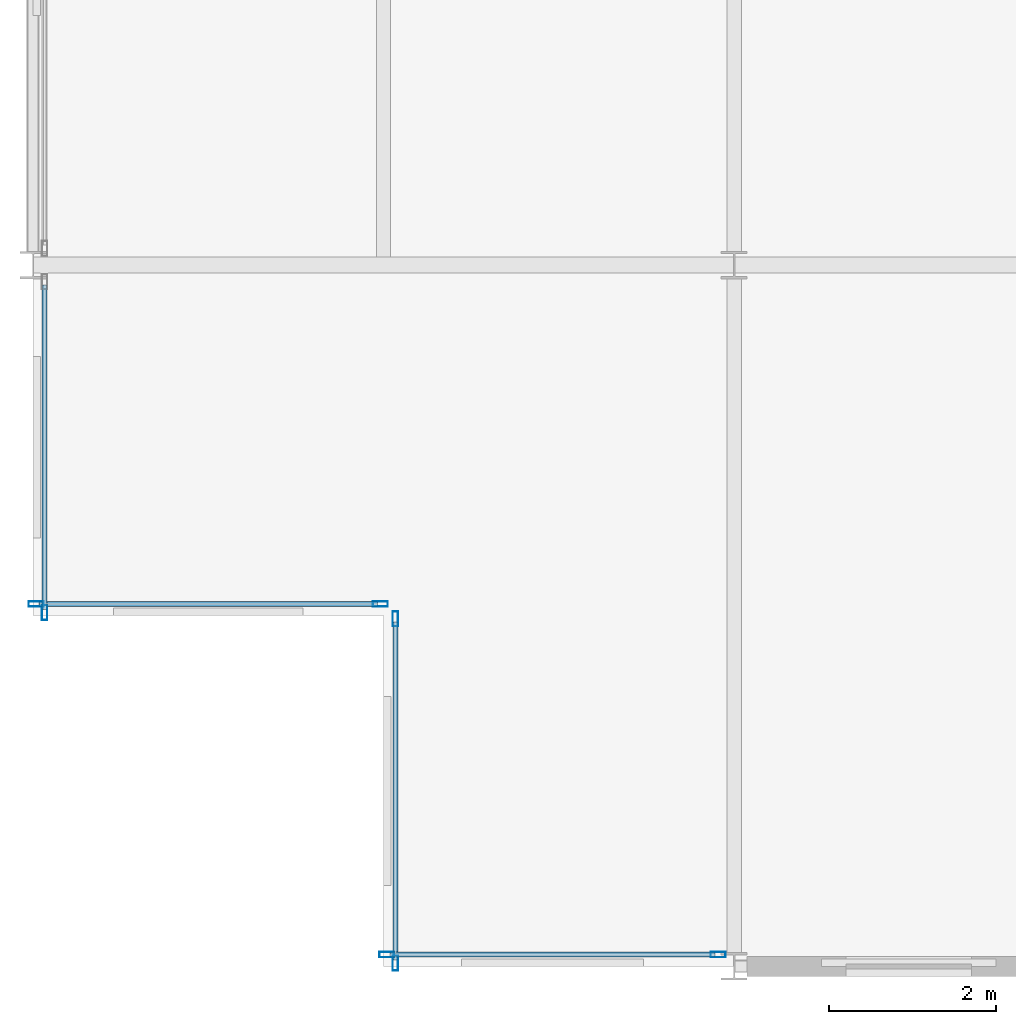
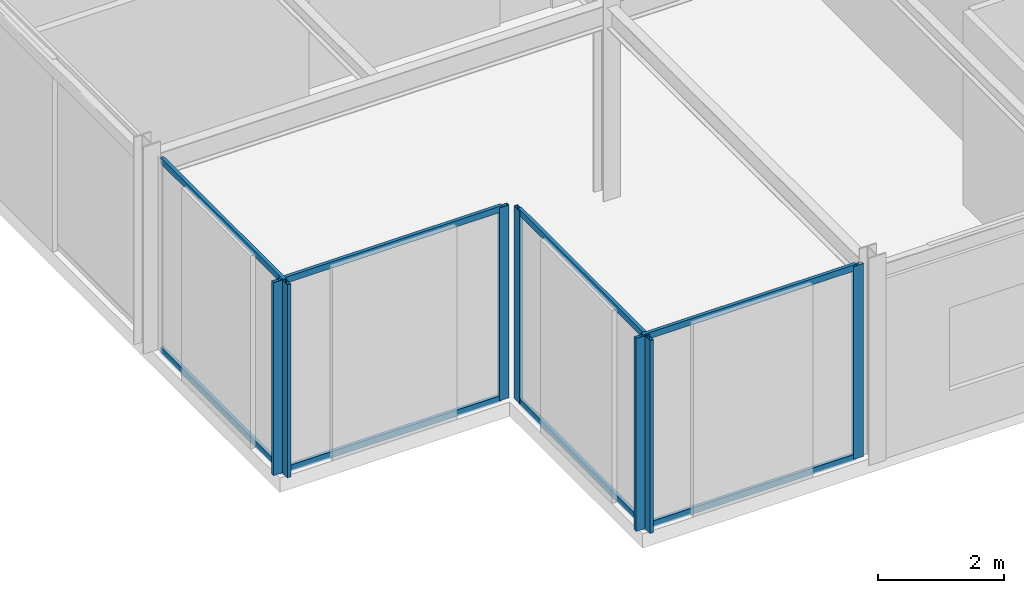
# One storey, part 3 of 26: 15 members, 4 elements without a shape of their own.
"""IFC4 building model written with IfcOpenShell, lengths in metres."""

from ifc_helpers import new_model, si_unit, direction, frame, origin, origin_2d, place, context, subcontext, project, spatial, hollow_rectangle, extrude, material, layer, layer_set, material_profile, profile_set, type_object, element, aggregate, save


model = new_model("IFC4")

# Units and contexts
model_context = context("Model", 3, precision=1e-05, world=origin(), true_north=direction((0.0, 1.0)))
body_context = subcontext(model_context, "Body", "Model", "MODEL_VIEW")
ifc_project = project(units=[si_unit("LENGTHUNIT", "METRE"), si_unit("AREAUNIT", "SQUARE_METRE"), si_unit("VOLUMEUNIT", "CUBIC_METRE"), si_unit("PLANEANGLEUNIT", "RADIAN"), si_unit("MASSUNIT", "GRAM", prefix="KILO")], contexts=[model_context])

# Site, building, storey
site_placement = place(None, origin())
site = spatial("IfcSite", under=ifc_project, at=site_placement, CompositionType="ELEMENT")
building_placement = place(site_placement, origin())
building = spatial("IfcBuilding", under=site, at=building_placement, Name="Nerrivon Quay Data Exchange", CompositionType="ELEMENT")
storey_placement = place(building_placement, frame((0.0, 0.0, 270.199951171875)))
storey = spatial("IfcBuildingStorey", under=building, at=storey_placement, Name="L64", CompositionType="ELEMENT", Elevation=270.199951171875)

# Curtain wall, members
ifc_material = material(Name="Anodised aluminium 6063-T6", Category="aluminium")
ifc_layer = layer(ifc_material, 0.195068359375)
ifc_layer_set = layer_set([ifc_layer], Name="Anodised aluminium 6063-T6")
curtain_wall_type = type_object("IfcCurtainWallType", Name="CW-SYS-06", PredefinedType="NOTDEFINED", material=ifc_layer_set)
curtain_wall_1_placement = place(storey_placement, origin())
curtain_wall_1 = element("IfcCurtainWall", 1, at=curtain_wall_1_placement, inside=storey, type_object=curtain_wall_type, Name="L64 Unitised Curtain Wall 8", PredefinedType="NOTDEFINED")
ifc_material_profile_1 = material_profile(ifc_material, hollow_rectangle(XDim=0.06494140625, YDim=0.179931640625, WallThickness=0.00341796875, at=origin_2d()), Name="ALU-MULL-180x65")
ifc_profile_set_1 = profile_set([ifc_material_profile_1], Name="Anodised aluminium 6063-T6")
member_type_1 = type_object("IfcMemberType", Name="CWM-180x65", PredefinedType="MULLION", material=ifc_profile_set_1)
member_1_placement = place(storey_placement, frame((8.20703125, 0.139892578125, 0.0), z_axis=(0.0, 0.0, 1.0), x_axis=(0.0, -1.0, 0.0)))
member_1 = element("IfcMember", 2, at=member_1_placement, type_object=member_type_1, Name="CW06 mullion 1", PredefinedType="MULLION", context=body_context, shape_type="SweptSolid", body=[
    extrude(hollow_rectangle(XDim=0.06494140625, YDim=0.179931640625, WallThickness=0.00341796875, at=origin_2d()), origin(), (0.0, 0.0, 1.0), 3.72509765625),
])
member_2_placement = place(storey_placement, frame((4.237548828125, 0.139892578125, 0.0), z_axis=(0.0, 0.0, 1.0), x_axis=(0.0, -1.0, 0.0)))
member_2 = element("IfcMember", 3, at=member_2_placement, type_object=member_type_1, Name="CW06 mullion 2", PredefinedType="MULLION", context=body_context, shape_type="SweptSolid", body=[
    extrude(hollow_rectangle(XDim=0.06494140625, YDim=0.179931640625, WallThickness=0.00341796875, at=origin_2d()), origin(), (0.0, 0.0, 1.0), 3.72509765625),
])

curtain_wall_2_placement = place(storey_placement, origin())
curtain_wall_2 = element("IfcCurtainWall", 4, at=curtain_wall_2_placement, inside=storey, type_object=curtain_wall_type, Name="L64 Unitised Curtain Wall 9", PredefinedType="NOTDEFINED")
member_3_placement = place(storey_placement, frame((4.340087890625, 0.03759765625, 0.0), z_axis=(0.0, 0.0, 1.0), x_axis=(-1.0, 0.0, 0.0)))
member_3 = element("IfcMember", 5, at=member_3_placement, type_object=member_type_1, Name="CW06 mullion 1", PredefinedType="MULLION", context=body_context, shape_type="SweptSolid", body=[
    extrude(hollow_rectangle(XDim=0.06494140625, YDim=0.179931640625, WallThickness=0.00341796875, at=origin_2d()), origin(), (0.0, 0.0, 1.0), 3.72509765625),
])
member_4_placement = place(storey_placement, frame((4.340087890625, 4.16259765625, 0.0), z_axis=(0.0, 0.0, 1.0), x_axis=(-1.0, 0.0, 0.0)))
member_4 = element("IfcMember", 6, at=member_4_placement, type_object=member_type_1, Name="CW06 mullion 2", PredefinedType="MULLION", context=body_context, shape_type="SweptSolid", body=[
    extrude(hollow_rectangle(XDim=0.06494140625, YDim=0.179931640625, WallThickness=0.00341796875, at=origin_2d()), origin(), (0.0, 0.0, 1.0), 3.72509765625),
])

curtain_wall_3_placement = place(storey_placement, origin())
curtain_wall_3 = element("IfcCurtainWall", 7, at=curtain_wall_3_placement, inside=storey, type_object=curtain_wall_type, Name="L64 Unitised Curtain Wall 10", PredefinedType="NOTDEFINED")
member_5_placement = place(storey_placement, frame((4.16259765625, 4.340087890625, 0.0), z_axis=(0.0, 0.0, 1.0), x_axis=(0.0, -1.0, 0.0)))
member_5 = element("IfcMember", 8, at=member_5_placement, type_object=member_type_1, Name="CW06 mullion 1", PredefinedType="MULLION", context=body_context, shape_type="SweptSolid", body=[
    extrude(hollow_rectangle(XDim=0.06494140625, YDim=0.179931640625, WallThickness=0.00341796875, at=origin_2d()), origin(), (0.0, 0.0, 1.0), 3.72509765625),
])
member_6_placement = place(storey_placement, frame((0.03759765625, 4.340087890625, 0.0), z_axis=(0.0, 0.0, 1.0), x_axis=(0.0, -1.0, 0.0)))
member_6 = element("IfcMember", 9, at=member_6_placement, type_object=member_type_1, Name="CW06 mullion 2", PredefinedType="MULLION", context=body_context, shape_type="SweptSolid", body=[
    extrude(hollow_rectangle(XDim=0.06494140625, YDim=0.179931640625, WallThickness=0.00341796875, at=origin_2d()), origin(), (0.0, 0.0, 1.0), 3.72509765625),
])

# Curtain wall, member
curtain_wall_4_placement = place(storey_placement, origin())
curtain_wall_4 = element("IfcCurtainWall", 10, at=curtain_wall_4_placement, inside=storey, type_object=curtain_wall_type, Name="L64 Unitised Curtain Wall 11", PredefinedType="NOTDEFINED")
member_7_placement = place(storey_placement, frame((0.139892578125, 4.237548828125, 0.0), z_axis=(0.0, 0.0, 1.0), x_axis=(-1.0, 0.0, 0.0)))
member_7 = element("IfcMember", 11, at=member_7_placement, type_object=member_type_1, Name="CW06 mullion 1", PredefinedType="MULLION", context=body_context, shape_type="SweptSolid", body=[
    extrude(hollow_rectangle(XDim=0.06494140625, YDim=0.179931640625, WallThickness=0.00341796875, at=origin_2d()), origin(), (0.0, 0.0, 1.0), 3.72509765625),
])

# Member
ifc_material_profile_2 = material_profile(ifc_material, hollow_rectangle(XDim=0.06005859375, YDim=0.1201171875, WallThickness=0.003173828125, at=origin_2d()), Name="ALU-TRAN-120x60")
ifc_profile_set_2 = profile_set([ifc_material_profile_2], Name="Anodised aluminium 6063-T6")
member_type_2 = type_object("IfcMemberType", Name="CWT-120x60", PredefinedType="USERDEFINED", material=ifc_profile_set_2)
member_8_placement = place(storey_placement, frame((8.16943359375, 0.139892578125, 0.032470703125), z_axis=(-1.0, 0.0, 0.0), x_axis=(0.0, -1.0, 0.0)))
member_8 = element("IfcMember", 12, at=member_8_placement, type_object=member_type_2, Name="CW06 transom 1.1", ObjectType="TRANSOM", PredefinedType="USERDEFINED", context=body_context, shape_type="SweptSolid", body=[
    extrude(hollow_rectangle(XDim=0.06005859375, YDim=0.1201171875, WallThickness=0.003173828125, at=origin_2d()), origin(), (0.0, 0.0, 1.0), 3.89453125),
])

member_9_placement = place(storey_placement, frame((8.16943359375, 0.139892578125, 3.692626953125), z_axis=(-1.0, 0.0, 0.0), x_axis=(0.0, -1.0, 0.0)))
member_9 = element("IfcMember", 13, at=member_9_placement, type_object=member_type_2, Name="CW06 transom 1.2", ObjectType="TRANSOM", PredefinedType="USERDEFINED", context=body_context, shape_type="SweptSolid", body=[
    extrude(hollow_rectangle(XDim=0.06005859375, YDim=0.1201171875, WallThickness=0.003173828125, at=origin_2d()), origin(), (0.0, 0.0, 1.0), 3.89453125),
])

aggregate(curtain_wall_1, [member_1, member_2, member_8, member_9])

member_10_placement = place(storey_placement, frame((4.340087890625, 0.074951171875, 0.032470703125), z_axis=(0.0, 1.0, 0.0), x_axis=(-1.0, 0.0, 0.0)))
member_10 = element("IfcMember", 14, at=member_10_placement, type_object=member_type_2, Name="CW06 transom 1.1", ObjectType="TRANSOM", PredefinedType="USERDEFINED", context=body_context, shape_type="SweptSolid", body=[
    extrude(hollow_rectangle(XDim=0.06005859375, YDim=0.1201171875, WallThickness=0.003173828125, at=origin_2d()), origin(), (0.0, 0.0, 1.0), 4.050048828125),
])

member_11_placement = place(storey_placement, frame((4.340087890625, 0.074951171875, 3.692626953125), z_axis=(0.0, 1.0, 0.0), x_axis=(-1.0, 0.0, 0.0)))
member_11 = element("IfcMember", 15, at=member_11_placement, type_object=member_type_2, Name="CW06 transom 1.2", ObjectType="TRANSOM", PredefinedType="USERDEFINED", context=body_context, shape_type="SweptSolid", body=[
    extrude(hollow_rectangle(XDim=0.06005859375, YDim=0.1201171875, WallThickness=0.003173828125, at=origin_2d()), origin(), (0.0, 0.0, 1.0), 4.050048828125),
])

aggregate(curtain_wall_2, [member_3, member_4, member_10, member_11])

member_12_placement = place(storey_placement, frame((4.125, 4.340087890625, 0.032470703125), z_axis=(-1.0, 0.0, 0.0), x_axis=(0.0, -1.0, 0.0)))
member_12 = element("IfcMember", 16, at=member_12_placement, type_object=member_type_2, Name="CW06 transom 1.1", ObjectType="TRANSOM", PredefinedType="USERDEFINED", context=body_context, shape_type="SweptSolid", body=[
    extrude(hollow_rectangle(XDim=0.06005859375, YDim=0.1201171875, WallThickness=0.003173828125, at=origin_2d()), origin(), (0.0, 0.0, 1.0), 4.050048828125),
])

member_13_placement = place(storey_placement, frame((4.125, 4.340087890625, 3.692626953125), z_axis=(-1.0, 0.0, 0.0), x_axis=(0.0, -1.0, 0.0)))
member_13 = element("IfcMember", 17, at=member_13_placement, type_object=member_type_2, Name="CW06 transom 1.2", ObjectType="TRANSOM", PredefinedType="USERDEFINED", context=body_context, shape_type="SweptSolid", body=[
    extrude(hollow_rectangle(XDim=0.06005859375, YDim=0.1201171875, WallThickness=0.003173828125, at=origin_2d()), origin(), (0.0, 0.0, 1.0), 4.050048828125),
])

aggregate(curtain_wall_3, [member_5, member_6, member_12, member_13])

member_14_placement = place(storey_placement, frame((0.139892578125, 4.27490234375, 0.032470703125), z_axis=(0.0, 1.0, 0.0), x_axis=(-1.0, 0.0, 0.0)))
member_14 = element("IfcMember", 18, at=member_14_placement, type_object=member_type_2, Name="CW06 transom 1.1", ObjectType="TRANSOM", PredefinedType="USERDEFINED", context=body_context, shape_type="SweptSolid", body=[
    extrude(hollow_rectangle(XDim=0.06005859375, YDim=0.1201171875, WallThickness=0.003173828125, at=origin_2d()), origin(), (0.0, 0.0, 1.0), 3.88671875),
])

member_15_placement = place(storey_placement, frame((0.139892578125, 4.27490234375, 3.692626953125), z_axis=(0.0, 1.0, 0.0), x_axis=(-1.0, 0.0, 0.0)))
member_15 = element("IfcMember", 19, at=member_15_placement, type_object=member_type_2, Name="CW06 transom 1.2", ObjectType="TRANSOM", PredefinedType="USERDEFINED", context=body_context, shape_type="SweptSolid", body=[
    extrude(hollow_rectangle(XDim=0.06005859375, YDim=0.1201171875, WallThickness=0.003173828125, at=origin_2d()), origin(), (0.0, 0.0, 1.0), 3.88671875),
])

aggregate(curtain_wall_4, [member_7, member_14, member_15])

save(model, "model.ifc")
